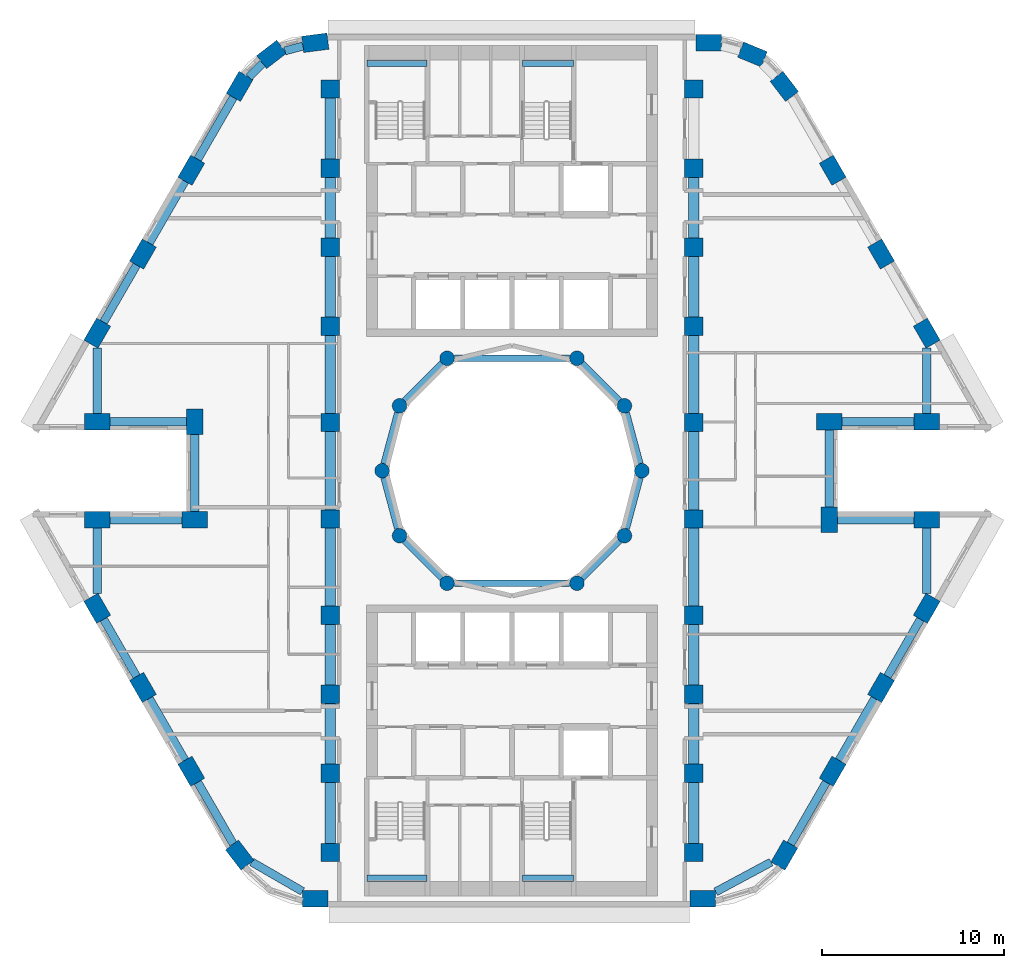
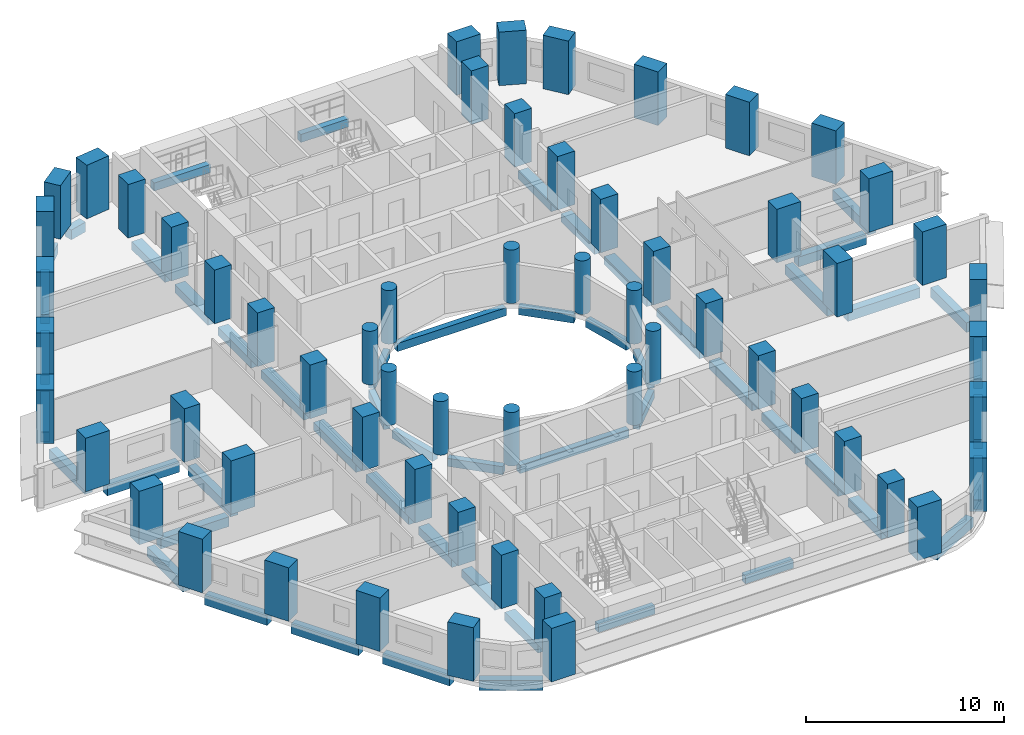
# One storey, part 1 of 12: 60 columns, 54 beams.
"""IFC4 building model written with IfcOpenShell, lengths in metres."""

from ifc_helpers import new_model, si_unit, direction, frame, origin, origin_2d, place, context, subcontext, project, spatial, rectangle, circle, extrude, material, material_profile, profile_set, type_object, element, save


model = new_model("IFC4")

# Units and contexts
model_context = context("Model", 3, precision=1e-05, world=origin(), true_north=direction((0.0, 1.0)))
body_context = subcontext(model_context, "Body", "Model", "MODEL_VIEW")
ifc_project = project(units=[si_unit("LENGTHUNIT", "METRE"), si_unit("AREAUNIT", "SQUARE_METRE"), si_unit("VOLUMEUNIT", "CUBIC_METRE"), si_unit("PLANEANGLEUNIT", "RADIAN"), si_unit("MASSUNIT", "GRAM", prefix="KILO")], contexts=[model_context])

# Site, building, storey
site_placement = place(None, origin())
site = spatial("IfcSite", under=ifc_project, at=site_placement, CompositionType="ELEMENT")
building_placement = place(site_placement, origin())
building = spatial("IfcBuilding", under=site, at=building_placement, Name="Nakaniwa Court", CompositionType="ELEMENT")
storey_placement = place(building_placement, frame((0.0, 0.0, 97.5)))
storey = spatial("IfcBuildingStorey", under=building, at=storey_placement, Name="L25", CompositionType="ELEMENT", Elevation=97.5)

# Columns
ifc_material = material(Name="Concrete C80/100", Category="concrete")
ifc_material_profile_1 = material_profile(ifc_material, rectangle(XDim=1.0, YDim=1.0, at=origin_2d()), Name="Concrete C80/100 RC 1000x1000 spine column")
ifc_profile_set_1 = profile_set([ifc_material_profile_1], Name="Concrete C80/100")
column_type_1 = type_object("IfcColumnType", Name="Concrete C80/100 RC 1000x1000 spine column", PredefinedType="COLUMN", material=ifc_profile_set_1)
for number, where, z_axis, x_axis, name in (
    (1, (90.0, 59.0, 0.0), (0.0, 0.0, 1.0), (0.0, 1.0, 0.0), "COLUMN CS-01"),
    (2, (90.0, 63.35009765625, 0.0), (0.0, 0.0, 1.0), (0.0, 1.0, 0.0), "COLUMN CS-02"),
    (3, (90.0, 67.699951171875, 0.0), (0.0, 0.0, 1.0), (0.0, 1.0, 0.0), "COLUMN CS-03"),
    (4, (90.0, 72.050048828125, 0.0), (0.0, 0.0, 1.0), (0.0, 1.0, 0.0), "COLUMN CS-04"),
    (5, (90.0, 77.35009765625, 0.0), (0.0, 0.0, 1.0), (0.0, 1.0, 0.0), "COLUMN CS-05"),
    (6, (90.0, 82.64990234375, 0.0), (0.0, 0.0, 1.0), (0.0, 1.0, 0.0), "COLUMN CS-06"),
    (7, (90.0, 87.949951171875, 0.0), (0.0, 0.0, 1.0), (0.0, 1.0, 0.0), "COLUMN CS-07"),
    (8, (90.0, 92.300048828125, 0.0), (0.0, 0.0, 1.0), (0.0, 1.0, 0.0), "COLUMN CS-08"),
    (9, (90.0, 96.64990234375, 0.0), (0.0, 0.0, 1.0), (0.0, 1.0, 0.0), "COLUMN CS-09"),
    (10, (90.0, 101.0, 0.0), (0.0, 0.0, 1.0), (0.0, 1.0, 0.0), "COLUMN CS-10"),
    (11, (70.0, 101.0, 0.0), (0.0, 0.0, 1.0), (0.0, -1.0, 0.0), "COLUMN CS-11"),
    (12, (70.0, 96.64990234375, 0.0), (0.0, 0.0, 1.0), (0.0, -1.0, 0.0), "COLUMN CS-12"),
    (13, (70.0, 92.300048828125, 0.0), (0.0, 0.0, 1.0), (0.0, -1.0, 0.0), "COLUMN CS-13"),
    (14, (70.0, 87.949951171875, 0.0), (0.0, 0.0, 1.0), (0.0, -1.0, 0.0), "COLUMN CS-14"),
    (15, (70.0, 82.64990234375, 0.0), (0.0, 0.0, 1.0), (0.0, -1.0, 0.0), "COLUMN CS-15"),
    (16, (70.0, 77.35009765625, 0.0), (0.0, 0.0, 1.0), (0.0, -1.0, 0.0), "COLUMN CS-16"),
    (17, (70.0, 72.050048828125, 0.0), (0.0, 0.0, 1.0), (0.0, -1.0, 0.0), "COLUMN CS-17"),
    (18, (70.0, 67.699951171875, 0.0), (0.0, 0.0, 1.0), (0.0, -1.0, 0.0), "COLUMN CS-18"),
    (19, (70.0, 63.35009765625, 0.0), (0.0, 0.0, 1.0), (0.0, -1.0, 0.0), "COLUMN CS-19"),
    (20, (70.0, 59.0, 0.0), (0.0, 0.0, 1.0), (0.0, -1.0, 0.0), "COLUMN CS-20"),
):
    element("IfcColumn", number, at=place(storey_placement, frame(where, z_axis=z_axis, x_axis=x_axis)), inside=storey, type_object=column_type_1, Name=name, PredefinedType="COLUMN", context=body_context, shape_type="SweptSolid", body=[
        extrude(rectangle(XDim=1.0, YDim=1.0, at=origin_2d()), origin(), (0.0, 0.0, 1.0), 3.300048828125),
    ])
ifc_material_profile_2 = material_profile(ifc_material, rectangle(XDim=1.39990234375, YDim=0.89990234375, at=origin_2d()), Name="Concrete C80/100 RC 1400x900 perimeter column")
ifc_profile_set_2 = profile_set([ifc_material_profile_2], Name="Concrete C80/100")
column_type_2 = type_object("IfcColumnType", Name="Concrete C80/100 RC 1400x900 perimeter column", PredefinedType="COLUMN", material=ifc_profile_set_2)
for number, where, z_axis, x_axis, name in (
    (21, (69.17529296875, 103.550048828125, 0.0), (0.0, 0.0, 1.0), (-0.991442583111, -0.130543496177, 0.0), "COLUMN CO-01"),
    (22, (66.772705078125, 102.91015625, 0.0), (0.0, 0.0, 1.0), (-0.793363965062, -0.608747582288, 0.0), "COLUMN CO-02"),
    (23, (65.017578125, 101.1494140625, 0.0), (0.0, 0.0, 1.0), (-0.5, -0.866025403784, 0.0), "COLUMN CO-03"),
    (24, (62.3544921875, 96.537109375, 0.0), (0.0, 0.0, 1.0), (-0.5, -0.866025403784, 0.0), "COLUMN CO-04"),
    (25, (59.691650390625, 91.9248046875, 0.0), (0.0, 0.0, 1.0), (-0.5, -0.866025403784, 0.0), "COLUMN CO-05"),
    (26, (57.177001953125, 87.569580078125, 0.0), (0.0, 0.0, 1.0), (-0.5, -0.866025403784, 0.0), "COLUMN CO-06"),
    (27, (57.177001953125, 82.699951171875, 0.0), (0.0, 0.0, 1.0), (1.0, 0.0, 0.0), "COLUMN CO-08"),
    (28, (62.54150390625, 82.699951171875, 0.0), (0.0, 0.0, 1.0), (0.0, -1.0, 0.0), "COLUMN CO-09"),
    (29, (62.54150390625, 77.300048828125, 0.0), (0.0, 0.0, 1.0), (-1.0, 0.0, 0.0), "COLUMN CO-10"),
    (30, (57.177001953125, 77.300048828125, 0.0), (0.0, 0.0, 1.0), (-1.0, 0.0, 0.0), "COLUMN CO-11"),
    (31, (57.177001953125, 72.430419921875, 0.0), (0.0, 0.0, 1.0), (0.5, -0.866025403784, 0.0), "COLUMN CO-13"),
    (32, (59.691650390625, 68.0751953125, 0.0), (0.0, 0.0, 1.0), (0.5, -0.866025403784, 0.0), "COLUMN CO-14"),
    (33, (62.3544921875, 63.462890625, 0.0), (0.0, 0.0, 1.0), (0.5, -0.866025403784, 0.0), "COLUMN CO-15"),
    (34, (65.017578125, 58.8505859375, 0.0), (0.0, 0.0, 1.0), (0.608761429009, -0.793353340291, 0.0), "COLUMN CO-16"),
    (35, (69.17529296875, 56.449951171875, 0.0), (0.0, 0.0, 1.0), (1.0, 0.0, 0.0), "COLUMN CO-17"),
    (36, (90.507080078125, 56.449951171875, 0.0), (0.0, 0.0, 1.0), (1.0, 0.0, 0.0), "COLUMN CO-21"),
    (37, (94.982421875, 58.8505859375, 0.0), (0.0, 0.0, 1.0), (0.5, 0.866025403784, 0.0), "COLUMN CO-22"),
    (38, (97.6455078125, 63.462890625, 0.0), (0.0, 0.0, 1.0), (0.5, 0.866025403784, 0.0), "COLUMN CO-23"),
    (39, (100.308349609375, 68.0751953125, 0.0), (0.0, 0.0, 1.0), (0.5, 0.866025403784, 0.0), "COLUMN CO-24"),
    (40, (102.822998046875, 72.430419921875, 0.0), (0.0, 0.0, 1.0), (0.5, 0.866025403784, 0.0), "COLUMN CO-25"),
    (41, (102.822998046875, 77.300048828125, 0.0), (0.0, 0.0, 1.0), (-1.0, 0.0, 0.0), "COLUMN CO-27"),
    (42, (97.45849609375, 77.300048828125, 0.0), (0.0, 0.0, 1.0), (0.0, 1.0, 0.0), "COLUMN CO-28"),
    (43, (97.45849609375, 82.699951171875, 0.0), (0.0, 0.0, 1.0), (1.0, 0.0, 0.0), "COLUMN CO-29"),
    (44, (102.822998046875, 82.699951171875, 0.0), (0.0, 0.0, 1.0), (1.0, 0.0, 0.0), "COLUMN CO-30"),
    (45, (102.822998046875, 87.569580078125, 0.0), (0.0, 0.0, 1.0), (-0.5, 0.866025403784, 0.0), "COLUMN CO-32"),
    (46, (100.308349609375, 91.9248046875, 0.0), (0.0, 0.0, 1.0), (-0.5, 0.866025403784, 0.0), "COLUMN CO-33"),
    (47, (97.6455078125, 96.537109375, 0.0), (0.0, 0.0, 1.0), (-0.5, 0.866025403784, 0.0), "COLUMN CO-34"),
    (48, (94.982421875, 101.1494140625, 0.0), (0.0, 0.0, 1.0), (-0.608761429009, 0.793353340291, 0.0), "COLUMN CO-35"),
    (49, (93.227294921875, 102.91015625, 0.0), (0.0, 0.0, 1.0), (-0.923879532511, 0.382683432365, 0.0), "COLUMN CO-36"),
    (50, (90.82470703125, 103.550048828125, 0.0), (0.0, 0.0, 1.0), (-1.0, 0.0, 0.0), "COLUMN CO-37"),
):
    element("IfcColumn", number, at=place(storey_placement, frame(where, z_axis=z_axis, x_axis=x_axis)), inside=storey, type_object=column_type_2, Name=name, PredefinedType="COLUMN", context=body_context, shape_type="SweptSolid", body=[
        extrude(rectangle(XDim=1.39990234375, YDim=0.89990234375, at=origin_2d()), origin(), (0.0, 0.0, 1.0), 3.300048828125),
    ])
ifc_material_profile_3 = material_profile(ifc_material, circle(Radius=0.39990234375, at=origin_2d()), Name="Concrete C80/100 RC D800 inner ring column")
ifc_profile_set_3 = profile_set([ifc_material_profile_3], Name="Concrete C80/100")
column_type_3 = type_object("IfcColumnType", Name="Concrete C80/100 RC D800 inner ring column", PredefinedType="COLUMN", material=ifc_profile_set_3)
for number, where, z_axis, x_axis, name in (
    (51, (87.14990234375, 80.0, 0.0), (0.0, 0.0, 1.0), (0.0, 1.0, 0.0), "COLUMN CI-01"),
    (52, (86.192138671875, 83.574951171875, 0.0), (0.0, 0.0, 1.0), (-0.5, 0.866025403784, 0.0), "COLUMN CI-02"),
    (53, (83.574951171875, 86.192138671875, 0.0), (0.0, 0.0, 1.0), (-0.866025403784, 0.5, 0.0), "COLUMN CI-03"),
    (54, (76.425048828125, 86.192138671875, 0.0), (0.0, 0.0, 1.0), (-0.866025403784, -0.5, 0.0), "COLUMN CI-05"),
    (55, (73.807861328125, 83.574951171875, 0.0), (0.0, 0.0, 1.0), (-0.5, -0.866025403784, 0.0), "COLUMN CI-06"),
    (56, (72.85009765625, 80.0, 0.0), (0.0, 0.0, 1.0), (0.0, -1.0, 0.0), "COLUMN CI-07"),
    (57, (73.807861328125, 76.425048828125, 0.0), (0.0, 0.0, 1.0), (0.5, -0.866025403784, 0.0), "COLUMN CI-08"),
    (58, (76.425048828125, 73.807861328125, 0.0), (0.0, 0.0, 1.0), (0.866025403784, -0.5, 0.0), "COLUMN CI-09"),
    (59, (83.574951171875, 73.807861328125, 0.0), (0.0, 0.0, 1.0), (0.866025403784, 0.5, 0.0), "COLUMN CI-11"),
    (60, (86.192138671875, 76.425048828125, 0.0), (0.0, 0.0, 1.0), (0.5, 0.866025403784, 0.0), "COLUMN CI-12"),
):
    element("IfcColumn", number, at=place(storey_placement, frame(where, z_axis=z_axis, x_axis=x_axis)), inside=storey, type_object=column_type_3, Name=name, PredefinedType="COLUMN", context=body_context, shape_type="SweptSolid", body=[
        extrude(circle(Radius=0.39990234375, at=origin_2d()), origin(), (0.0, 0.0, 1.0), 3.300048828125),
    ])

# Beams
ifc_material_profile_4 = material_profile(ifc_material, rectangle(XDim=0.35009765625, YDim=0.5, at=origin_2d()), Name="Concrete C80/100 RC 350x500 landing ledge beam")
ifc_profile_set_4 = profile_set([ifc_material_profile_4], Name="Concrete C80/100")
beam_type_1 = type_object("IfcBeamType", Name="Concrete C80/100 RC 350x500 landing ledge beam", PredefinedType="BEAM", material=ifc_profile_set_4)
beam_1_placement = place(storey_placement, frame((72.02490234375, 102.425048828125, 1.199951171875), z_axis=(1.0, 0.0, 0.0), x_axis=(0.0, 1.0, 0.0)))
element("IfcBeam", 61, at=beam_1_placement, inside=storey, type_object=beam_type_1, Name="LANDING LEDGE BEAM", PredefinedType="BEAM", context=body_context, shape_type="SweptSolid", body=[
    extrude(rectangle(XDim=0.35009765625, YDim=0.5, at=origin_2d()), origin(), (0.0, 0.0, 1.0), 3.300048828125),
])
beam_2_placement = place(storey_placement, frame((80.574951171875, 102.425048828125, 1.199951171875), z_axis=(1.0, 0.0, 0.0), x_axis=(0.0, 1.0, 0.0)))
element("IfcBeam", 62, at=beam_2_placement, inside=storey, type_object=beam_type_1, Name="LANDING LEDGE BEAM", PredefinedType="BEAM", context=body_context, shape_type="SweptSolid", body=[
    extrude(rectangle(XDim=0.35009765625, YDim=0.5, at=origin_2d()), origin(), (0.0, 0.0, 1.0), 2.800048828125),
])
beam_3_placement = place(storey_placement, frame((72.02490234375, 57.574951171875, 1.199951171875), z_axis=(1.0, 0.0, 0.0), x_axis=(0.0, 1.0, 0.0)))
element("IfcBeam", 63, at=beam_3_placement, inside=storey, type_object=beam_type_1, Name="LANDING LEDGE BEAM", PredefinedType="BEAM", context=body_context, shape_type="SweptSolid", body=[
    extrude(rectangle(XDim=0.35009765625, YDim=0.5, at=origin_2d()), origin(), (0.0, 0.0, 1.0), 3.300048828125),
])
beam_4_placement = place(storey_placement, frame((80.574951171875, 57.574951171875, 1.199951171875), z_axis=(1.0, 0.0, 0.0), x_axis=(0.0, 1.0, 0.0)))
element("IfcBeam", 64, at=beam_4_placement, inside=storey, type_object=beam_type_1, Name="LANDING LEDGE BEAM", PredefinedType="BEAM", context=body_context, shape_type="SweptSolid", body=[
    extrude(rectangle(XDim=0.35009765625, YDim=0.5, at=origin_2d()), origin(), (0.0, 0.0, 1.0), 2.800048828125),
])
ifc_material_profile_5 = material_profile(ifc_material, rectangle(XDim=0.35009765625, YDim=0.5, at=origin_2d()), Name="Concrete C80/100 RC 350x500 ring beam")
ifc_profile_set_5 = profile_set([ifc_material_profile_5], Name="Concrete C80/100")
beam_type_2 = type_object("IfcBeamType", Name="Concrete C80/100 RC 350x500 ring beam", PredefinedType="BEAM", material=ifc_profile_set_5)
beam_5_placement = place(storey_placement, frame((87.04638671875, 80.386474609375, -0.52490234375), z_axis=(-0.258778150207, 0.965936783115, 0.0), x_axis=(-0.965936783115, -0.258778150207, 0.0)))
element("IfcBeam", 65, at=beam_5_placement, inside=storey, type_object=beam_type_2, Name="RING BEAM", PredefinedType="BEAM", context=body_context, shape_type="SweptSolid", body=[
    extrude(rectangle(XDim=0.35009765625, YDim=0.5, at=origin_2d()), origin(), (0.0, 0.0, 1.0), 2.901123046875),
])
beam_6_placement = place(storey_placement, frame((85.9091796875, 83.85791015625, -0.52490234375), z_axis=(-0.707106781187, 0.707106781187, 0.0), x_axis=(-0.707106781187, -0.707106781187, 0.0)))
element("IfcBeam", 66, at=beam_6_placement, inside=storey, type_object=beam_type_2, Name="RING BEAM", PredefinedType="BEAM", context=body_context, shape_type="SweptSolid", body=[
    extrude(rectangle(XDim=0.35009765625, YDim=0.5, at=origin_2d()), origin(), (0.0, 0.0, 1.0), 2.90087890625),
])
beam_7_placement = place(storey_placement, frame((83.175048828125, 86.192138671875, -0.52490234375), z_axis=(-1.0, 0.0, 0.0), x_axis=(0.0, -1.0, 0.0)))
element("IfcBeam", 67, at=beam_7_placement, inside=storey, type_object=beam_type_2, Name="RING BEAM", PredefinedType="BEAM", context=body_context, shape_type="SweptSolid", body=[
    extrude(rectangle(XDim=0.35009765625, YDim=0.5, at=origin_2d()), origin(), (0.0, 0.0, 1.0), 6.35009765625),
])
beam_8_placement = place(storey_placement, frame((76.14208984375, 85.9091796875, -0.52490234375), z_axis=(-0.707106781187, -0.707106781187, 0.0), x_axis=(0.707106781187, -0.707106781187, 0.0)))
element("IfcBeam", 68, at=beam_8_placement, inside=storey, type_object=beam_type_2, Name="RING BEAM", PredefinedType="BEAM", context=body_context, shape_type="SweptSolid", body=[
    extrude(rectangle(XDim=0.35009765625, YDim=0.5, at=origin_2d()), origin(), (0.0, 0.0, 1.0), 2.90087890625),
])
for number, where, z_axis, x_axis, name in (
    (69, (73.704345703125, 83.188720703125, -0.52490234375), (-0.258778150207, -0.965936783115, 0.0), (0.965936783115, -0.258778150207, 0.0), "RING BEAM"),
    (70, (72.95361328125, 79.613525390625, -0.52490234375), (0.258778150207, -0.965936783115, 0.0), (0.965936783115, 0.258778150207, 0.0), "RING BEAM"),
):
    element("IfcBeam", number, at=place(storey_placement, frame(where, z_axis=z_axis, x_axis=x_axis)), inside=storey, type_object=beam_type_2, Name=name, PredefinedType="BEAM", context=body_context, shape_type="SweptSolid", body=[
        extrude(rectangle(XDim=0.35009765625, YDim=0.5, at=origin_2d()), origin(), (0.0, 0.0, 1.0), 2.901123046875),
    ])
beam_9_placement = place(storey_placement, frame((74.0908203125, 76.14208984375, -0.52490234375), z_axis=(0.707106781187, -0.707106781187, 0.0), x_axis=(0.707106781187, 0.707106781187, 0.0)))
element("IfcBeam", 71, at=beam_9_placement, inside=storey, type_object=beam_type_2, Name="RING BEAM", PredefinedType="BEAM", context=body_context, shape_type="SweptSolid", body=[
    extrude(rectangle(XDim=0.35009765625, YDim=0.5, at=origin_2d()), origin(), (0.0, 0.0, 1.0), 2.90087890625),
])
beam_10_placement = place(storey_placement, frame((76.824951171875, 73.807861328125, -0.52490234375), z_axis=(1.0, 0.0, 0.0), x_axis=(0.0, 1.0, 0.0)))
element("IfcBeam", 72, at=beam_10_placement, inside=storey, type_object=beam_type_2, Name="RING BEAM", PredefinedType="BEAM", context=body_context, shape_type="SweptSolid", body=[
    extrude(rectangle(XDim=0.35009765625, YDim=0.5, at=origin_2d()), origin(), (0.0, 0.0, 1.0), 6.35009765625),
])
beam_11_placement = place(storey_placement, frame((83.85791015625, 74.0908203125, -0.52490234375), z_axis=(0.707106781187, 0.707106781187, 0.0), x_axis=(-0.707106781187, 0.707106781187, 0.0)))
element("IfcBeam", 73, at=beam_11_placement, inside=storey, type_object=beam_type_2, Name="RING BEAM", PredefinedType="BEAM", context=body_context, shape_type="SweptSolid", body=[
    extrude(rectangle(XDim=0.35009765625, YDim=0.5, at=origin_2d()), origin(), (0.0, 0.0, 1.0), 2.90087890625),
])
beam_12_placement = place(storey_placement, frame((86.295654296875, 76.811279296875, -0.52490234375), z_axis=(0.258778150207, 0.965936783115, 0.0), x_axis=(-0.965936783115, 0.258778150207, 0.0)))
element("IfcBeam", 74, at=beam_12_placement, inside=storey, type_object=beam_type_2, Name="RING BEAM", PredefinedType="BEAM", context=body_context, shape_type="SweptSolid", body=[
    extrude(rectangle(XDim=0.35009765625, YDim=0.5, at=origin_2d()), origin(), (0.0, 0.0, 1.0), 2.901123046875),
])
ifc_material_profile_6 = material_profile(ifc_material, rectangle(XDim=0.449951171875, YDim=0.60009765625, at=origin_2d()), Name="Concrete C80/100 RC 450x600 spandrel beam")
ifc_profile_set_6 = profile_set([ifc_material_profile_6], Name="Concrete C80/100")
beam_type_3 = type_object("IfcBeamType", Name="Concrete C80/100 RC 450x600 spandrel beam", PredefinedType="BEAM", material=ifc_profile_set_6)
beam_13_placement = place(storey_placement, frame((68.4931640625, 103.368408203125, -0.574951171875), z_axis=(-0.966290412053, -0.257454538851, 0.0), x_axis=(0.257454538851, -0.966290412053, 0.0)))
element("IfcBeam", 75, at=beam_13_placement, inside=storey, type_object=beam_type_3, Name="SPANDREL BEAM", PredefinedType="BEAM", context=body_context, shape_type="SweptSolid", body=[
    extrude(rectangle(XDim=0.449951171875, YDim=0.60009765625, at=origin_2d()), origin(), (0.0, 0.0, 1.0), 1.022216796875),
])
beam_14_placement = place(storey_placement, frame((66.274169921875, 102.41015625, -0.574951171875), z_axis=(-0.70606530329, -0.708146727374, 0.0), x_axis=(0.708146727374, -0.70606530329, 0.0)))
element("IfcBeam", 76, at=beam_14_placement, inside=storey, type_object=beam_type_3, Name="SPANDREL BEAM", PredefinedType="BEAM", context=body_context, shape_type="SweptSolid", body=[
    extrude(rectangle(XDim=0.449951171875, YDim=0.60009765625, at=origin_2d()), origin(), (0.0, 0.0, 1.0), 1.0556640625),
])
for number, where, z_axis, x_axis, name in (
    (77, (64.66748046875, 100.543212890625, -0.574951171875), (-0.49999161165, -0.866030246746, 0.0), (0.866030246746, -0.49999161165, 0.0), "SPANDREL BEAM"),
    (78, (62.00439453125, 95.930908203125, -0.574951171875), (-0.49999161165, -0.866030246746, 0.0), (0.866030246746, -0.49999161165, 0.0), "SPANDREL BEAM"),
):
    element("IfcBeam", number, at=place(storey_placement, frame(where, z_axis=z_axis, x_axis=x_axis)), inside=storey, type_object=beam_type_3, Name=name, PredefinedType="BEAM", context=body_context, shape_type="SweptSolid", body=[
        extrude(rectangle(XDim=0.449951171875, YDim=0.60009765625, at=origin_2d()), origin(), (0.0, 0.0, 1.0), 3.92578125),
    ])
beam_15_placement = place(storey_placement, frame((59.341552734375, 91.318603515625, -0.574951171875), z_axis=(-0.499988394233, -0.866032104273, 0.0), x_axis=(0.866032104273, -0.499988394233, 0.0)))
element("IfcBeam", 79, at=beam_15_placement, inside=storey, type_object=beam_type_3, Name="SPANDREL BEAM", PredefinedType="BEAM", context=body_context, shape_type="SweptSolid", body=[
    extrude(rectangle(XDim=0.449951171875, YDim=0.60009765625, at=origin_2d()), origin(), (0.0, 0.0, 1.0), 3.62890625),
])
beam_16_placement = place(storey_placement, frame((57.177001953125, 86.761474609375, -0.574951171875), z_axis=(0.0, -1.0, 0.0), x_axis=(1.0, 0.0, 0.0)))
element("IfcBeam", 80, at=beam_16_placement, inside=storey, type_object=beam_type_3, Name="SPANDREL BEAM", PredefinedType="BEAM", context=body_context, shape_type="SweptSolid", body=[
    extrude(rectangle(XDim=0.449951171875, YDim=0.60009765625, at=origin_2d()), origin(), (0.0, 0.0, 1.0), 3.611572265625),
])
beam_17_placement = place(storey_placement, frame((57.877197265625, 82.699951171875, -0.574951171875), z_axis=(1.0, 0.0, 0.0), x_axis=(0.0, 1.0, 0.0)))
element("IfcBeam", 81, at=beam_17_placement, inside=storey, type_object=beam_type_3, Name="SPANDREL BEAM", PredefinedType="BEAM", context=body_context, shape_type="SweptSolid", body=[
    extrude(rectangle(XDim=0.449951171875, YDim=0.60009765625, at=origin_2d()), origin(), (0.0, 0.0, 1.0), 4.21435546875),
])
beam_18_placement = place(storey_placement, frame((62.54150390625, 82.0, -0.574951171875), z_axis=(0.0, -1.0, 0.0), x_axis=(1.0, 0.0, 0.0)))
element("IfcBeam", 82, at=beam_18_placement, inside=storey, type_object=beam_type_3, Name="SPANDREL BEAM", PredefinedType="BEAM", context=body_context, shape_type="SweptSolid", body=[
    extrude(rectangle(XDim=0.449951171875, YDim=0.60009765625, at=origin_2d()), origin(), (0.0, 0.0, 1.0), 4.25),
])
beam_19_placement = place(storey_placement, frame((61.841552734375, 77.300048828125, -0.574951171875), z_axis=(-1.0, 0.0, 0.0), x_axis=(0.0, -1.0, 0.0)))
element("IfcBeam", 83, at=beam_19_placement, inside=storey, type_object=beam_type_3, Name="SPANDREL BEAM", PredefinedType="BEAM", context=body_context, shape_type="SweptSolid", body=[
    extrude(rectangle(XDim=0.449951171875, YDim=0.60009765625, at=origin_2d()), origin(), (0.0, 0.0, 1.0), 3.96435546875),
])
beam_20_placement = place(storey_placement, frame((57.177001953125, 76.85009765625, -0.574951171875), z_axis=(0.0, -1.0, 0.0), x_axis=(1.0, 0.0, 0.0)))
element("IfcBeam", 84, at=beam_20_placement, inside=storey, type_object=beam_type_3, Name="SPANDREL BEAM", PredefinedType="BEAM", context=body_context, shape_type="SweptSolid", body=[
    extrude(rectangle(XDim=0.449951171875, YDim=0.60009765625, at=origin_2d()), origin(), (0.0, 0.0, 1.0), 3.611572265625),
])
beam_21_placement = place(storey_placement, frame((57.527099609375, 71.82421875, -0.574951171875), z_axis=(0.499988394233, -0.866032104273, 0.0), x_axis=(0.866032104273, 0.499988394233, 0.0)))
element("IfcBeam", 85, at=beam_21_placement, inside=storey, type_object=beam_type_3, Name="SPANDREL BEAM", PredefinedType="BEAM", context=body_context, shape_type="SweptSolid", body=[
    extrude(rectangle(XDim=0.449951171875, YDim=0.60009765625, at=origin_2d()), origin(), (0.0, 0.0, 1.0), 3.62890625),
])
beam_22_placement = place(storey_placement, frame((60.04150390625, 67.468994140625, -0.574951171875), z_axis=(0.49999161165, -0.866030246746, 0.0), x_axis=(0.866030246746, 0.49999161165, 0.0)))
element("IfcBeam", 86, at=beam_22_placement, inside=storey, type_object=beam_type_3, Name="SPANDREL BEAM", PredefinedType="BEAM", context=body_context, shape_type="SweptSolid", body=[
    extrude(rectangle(XDim=0.449951171875, YDim=0.60009765625, at=origin_2d()), origin(), (0.0, 0.0, 1.0), 3.92578125),
])
beam_23_placement = place(storey_placement, frame((62.70458984375, 62.856689453125, -0.574951171875), z_axis=(0.499997407846, -0.86602690036, 0.0), x_axis=(0.86602690036, 0.499997407846, 0.0)))
element("IfcBeam", 87, at=beam_23_placement, inside=storey, type_object=beam_type_3, Name="SPANDREL BEAM", PredefinedType="BEAM", context=body_context, shape_type="SweptSolid", body=[
    extrude(rectangle(XDim=0.449951171875, YDim=0.60009765625, at=origin_2d()), origin(), (0.0, 0.0, 1.0), 3.919921875),
])
beam_24_placement = place(storey_placement, frame((65.673583984375, 58.4716796875, -0.574951171875), z_axis=(0.866014675542, -0.5000185814, 0.0), x_axis=(0.5000185814, 0.866014675542, 0.0)))
element("IfcBeam", 88, at=beam_24_placement, inside=storey, type_object=beam_type_3, Name="SPANDREL BEAM", PredefinedType="BEAM", context=body_context, shape_type="SweptSolid", body=[
    extrude(rectangle(XDim=0.449951171875, YDim=0.60009765625, at=origin_2d()), origin(), (0.0, 0.0, 1.0), 3.2353515625),
])
beam_25_placement = place(storey_placement, frame((91.20703125, 56.825439453125, -0.574951171875), z_axis=(0.881233381314, 0.472681423009, 0.0), x_axis=(-0.472681423009, 0.881233381314, 0.0)))
element("IfcBeam", 89, at=beam_25_placement, inside=storey, type_object=beam_type_3, Name="SPANDREL BEAM", PredefinedType="BEAM", context=body_context, shape_type="SweptSolid", body=[
    extrude(rectangle(XDim=0.449951171875, YDim=0.60009765625, at=origin_2d()), origin(), (0.0, 0.0, 1.0), 3.46044921875),
])
for number, where, z_axis, x_axis, name in (
    (90, (95.33251953125, 59.456787109375, -0.574951171875), (0.49999161165, 0.866030246746, 0.0), (-0.866030246746, 0.49999161165, 0.0), "SPANDREL BEAM"),
    (91, (97.99560546875, 64.069091796875, -0.574951171875), (0.49999161165, 0.866030246746, 0.0), (-0.866030246746, 0.49999161165, 0.0), "SPANDREL BEAM"),
):
    element("IfcBeam", number, at=place(storey_placement, frame(where, z_axis=z_axis, x_axis=x_axis)), inside=storey, type_object=beam_type_3, Name=name, PredefinedType="BEAM", context=body_context, shape_type="SweptSolid", body=[
        extrude(rectangle(XDim=0.449951171875, YDim=0.60009765625, at=origin_2d()), origin(), (0.0, 0.0, 1.0), 3.92578125),
    ])
beam_26_placement = place(storey_placement, frame((100.658447265625, 68.681396484375, -0.574951171875), z_axis=(0.499988394233, 0.866032104273, 0.0), x_axis=(-0.866032104273, 0.499988394233, 0.0)))
element("IfcBeam", 92, at=beam_26_placement, inside=storey, type_object=beam_type_3, Name="SPANDREL BEAM", PredefinedType="BEAM", context=body_context, shape_type="SweptSolid", body=[
    extrude(rectangle(XDim=0.449951171875, YDim=0.60009765625, at=origin_2d()), origin(), (0.0, 0.0, 1.0), 3.62890625),
])
beam_27_placement = place(storey_placement, frame((102.822998046875, 73.238525390625, -0.574951171875), z_axis=(0.0, 1.0, 0.0), x_axis=(-1.0, 0.0, 0.0)))
element("IfcBeam", 93, at=beam_27_placement, inside=storey, type_object=beam_type_3, Name="SPANDREL BEAM", PredefinedType="BEAM", context=body_context, shape_type="SweptSolid", body=[
    extrude(rectangle(XDim=0.449951171875, YDim=0.60009765625, at=origin_2d()), origin(), (0.0, 0.0, 1.0), 3.611572265625),
])
beam_28_placement = place(storey_placement, frame((102.122802734375, 77.300048828125, -0.574951171875), z_axis=(-1.0, 0.0, 0.0), x_axis=(0.0, -1.0, 0.0)))
element("IfcBeam", 94, at=beam_28_placement, inside=storey, type_object=beam_type_3, Name="SPANDREL BEAM", PredefinedType="BEAM", context=body_context, shape_type="SweptSolid", body=[
    extrude(rectangle(XDim=0.449951171875, YDim=0.60009765625, at=origin_2d()), origin(), (0.0, 0.0, 1.0), 4.21435546875),
])
beam_29_placement = place(storey_placement, frame((97.45849609375, 78.0, -0.574951171875), z_axis=(0.0, 1.0, 0.0), x_axis=(-1.0, 0.0, 0.0)))
element("IfcBeam", 95, at=beam_29_placement, inside=storey, type_object=beam_type_3, Name="SPANDREL BEAM", PredefinedType="BEAM", context=body_context, shape_type="SweptSolid", body=[
    extrude(rectangle(XDim=0.449951171875, YDim=0.60009765625, at=origin_2d()), origin(), (0.0, 0.0, 1.0), 4.25),
])
beam_30_placement = place(storey_placement, frame((98.158447265625, 82.699951171875, -0.574951171875), z_axis=(1.0, 0.0, 0.0), x_axis=(0.0, 1.0, 0.0)))
element("IfcBeam", 96, at=beam_30_placement, inside=storey, type_object=beam_type_3, Name="SPANDREL BEAM", PredefinedType="BEAM", context=body_context, shape_type="SweptSolid", body=[
    extrude(rectangle(XDim=0.449951171875, YDim=0.60009765625, at=origin_2d()), origin(), (0.0, 0.0, 1.0), 3.96435546875),
])
beam_31_placement = place(storey_placement, frame((102.822998046875, 83.14990234375, -0.574951171875), z_axis=(0.0, 1.0, 0.0), x_axis=(-1.0, 0.0, 0.0)))
element("IfcBeam", 97, at=beam_31_placement, inside=storey, type_object=beam_type_3, Name="SPANDREL BEAM", PredefinedType="BEAM", context=body_context, shape_type="SweptSolid", body=[
    extrude(rectangle(XDim=0.449951171875, YDim=0.60009765625, at=origin_2d()), origin(), (0.0, 0.0, 1.0), 3.611572265625),
])
ifc_material_profile_7 = material_profile(ifc_material, rectangle(XDim=0.60009765625, YDim=0.5, at=origin_2d()), Name="Concrete C80/100 RC 600x500 ring beam")
ifc_profile_set_7 = profile_set([ifc_material_profile_7], Name="Concrete C80/100")
beam_type_4 = type_object("IfcBeamType", Name="Concrete C80/100 RC 600x500 ring beam", PredefinedType="BEAM", material=ifc_profile_set_7)
beam_32_placement = place(storey_placement, frame((90.0, 59.5, -0.52490234375), z_axis=(0.0, 1.0, 0.0), x_axis=(-1.0, 0.0, 0.0)))
element("IfcBeam", 98, at=beam_32_placement, inside=storey, type_object=beam_type_4, Name="RING BEAM", PredefinedType="BEAM", context=body_context, shape_type="SweptSolid", body=[
    extrude(rectangle(XDim=0.60009765625, YDim=0.5, at=origin_2d()), origin(), (0.0, 0.0, 1.0), 3.35009765625),
])
beam_33_placement = place(storey_placement, frame((90.0, 63.85009765625, -0.52490234375), z_axis=(0.0, 1.0, 0.0), x_axis=(-1.0, 0.0, 0.0)))
element("IfcBeam", 99, at=beam_33_placement, inside=storey, type_object=beam_type_4, Name="RING BEAM", PredefinedType="BEAM", context=body_context, shape_type="SweptSolid", body=[
    extrude(rectangle(XDim=0.60009765625, YDim=0.5, at=origin_2d()), origin(), (0.0, 0.0, 1.0), 3.349853515625),
])
beam_34_placement = place(storey_placement, frame((90.0, 68.199951171875, -0.52490234375), z_axis=(0.0, 1.0, 0.0), x_axis=(-1.0, 0.0, 0.0)))
element("IfcBeam", 100, at=beam_34_placement, inside=storey, type_object=beam_type_4, Name="RING BEAM", PredefinedType="BEAM", context=body_context, shape_type="SweptSolid", body=[
    extrude(rectangle(XDim=0.60009765625, YDim=0.5, at=origin_2d()), origin(), (0.0, 0.0, 1.0), 3.35009765625),
])
beam_35_placement = place(storey_placement, frame((90.0, 72.550048828125, -0.52490234375), z_axis=(0.0, 1.0, 0.0), x_axis=(-1.0, 0.0, 0.0)))
element("IfcBeam", 101, at=beam_35_placement, inside=storey, type_object=beam_type_4, Name="RING BEAM", PredefinedType="BEAM", context=body_context, shape_type="SweptSolid", body=[
    extrude(rectangle(XDim=0.60009765625, YDim=0.5, at=origin_2d()), origin(), (0.0, 0.0, 1.0), 4.300048828125),
])
beam_36_placement = place(storey_placement, frame((90.0, 77.85009765625, -0.52490234375), z_axis=(0.0, 1.0, 0.0), x_axis=(-1.0, 0.0, 0.0)))
element("IfcBeam", 102, at=beam_36_placement, inside=storey, type_object=beam_type_4, Name="RING BEAM", PredefinedType="BEAM", context=body_context, shape_type="SweptSolid", body=[
    extrude(rectangle(XDim=0.60009765625, YDim=0.5, at=origin_2d()), origin(), (0.0, 0.0, 1.0), 4.2998046875),
])
beam_37_placement = place(storey_placement, frame((90.0, 83.14990234375, -0.52490234375), z_axis=(0.0, 1.0, 0.0), x_axis=(-1.0, 0.0, 0.0)))
element("IfcBeam", 103, at=beam_37_placement, inside=storey, type_object=beam_type_4, Name="RING BEAM", PredefinedType="BEAM", context=body_context, shape_type="SweptSolid", body=[
    extrude(rectangle(XDim=0.60009765625, YDim=0.5, at=origin_2d()), origin(), (0.0, 0.0, 1.0), 4.300048828125),
])
beam_38_placement = place(storey_placement, frame((90.0, 88.449951171875, -0.52490234375), z_axis=(0.0, 1.0, 0.0), x_axis=(-1.0, 0.0, 0.0)))
element("IfcBeam", 104, at=beam_38_placement, inside=storey, type_object=beam_type_4, Name="RING BEAM", PredefinedType="BEAM", context=body_context, shape_type="SweptSolid", body=[
    extrude(rectangle(XDim=0.60009765625, YDim=0.5, at=origin_2d()), origin(), (0.0, 0.0, 1.0), 3.35009765625),
])
beam_39_placement = place(storey_placement, frame((90.0, 92.800048828125, -0.52490234375), z_axis=(0.0, 1.0, 0.0), x_axis=(-1.0, 0.0, 0.0)))
element("IfcBeam", 105, at=beam_39_placement, inside=storey, type_object=beam_type_4, Name="RING BEAM", PredefinedType="BEAM", context=body_context, shape_type="SweptSolid", body=[
    extrude(rectangle(XDim=0.60009765625, YDim=0.5, at=origin_2d()), origin(), (0.0, 0.0, 1.0), 3.349853515625),
])
beam_40_placement = place(storey_placement, frame((70.0, 100.5, -0.52490234375), z_axis=(0.0, -1.0, 0.0), x_axis=(1.0, 0.0, 0.0)))
element("IfcBeam", 106, at=beam_40_placement, inside=storey, type_object=beam_type_4, Name="RING BEAM", PredefinedType="BEAM", context=body_context, shape_type="SweptSolid", body=[
    extrude(rectangle(XDim=0.60009765625, YDim=0.5, at=origin_2d()), origin(), (0.0, 0.0, 1.0), 3.35009765625),
])
beam_41_placement = place(storey_placement, frame((70.0, 96.14990234375, -0.52490234375), z_axis=(0.0, -1.0, 0.0), x_axis=(1.0, 0.0, 0.0)))
element("IfcBeam", 107, at=beam_41_placement, inside=storey, type_object=beam_type_4, Name="RING BEAM", PredefinedType="BEAM", context=body_context, shape_type="SweptSolid", body=[
    extrude(rectangle(XDim=0.60009765625, YDim=0.5, at=origin_2d()), origin(), (0.0, 0.0, 1.0), 3.349853515625),
])
beam_42_placement = place(storey_placement, frame((70.0, 91.800048828125, -0.52490234375), z_axis=(0.0, -1.0, 0.0), x_axis=(1.0, 0.0, 0.0)))
element("IfcBeam", 108, at=beam_42_placement, inside=storey, type_object=beam_type_4, Name="RING BEAM", PredefinedType="BEAM", context=body_context, shape_type="SweptSolid", body=[
    extrude(rectangle(XDim=0.60009765625, YDim=0.5, at=origin_2d()), origin(), (0.0, 0.0, 1.0), 3.35009765625),
])
beam_43_placement = place(storey_placement, frame((70.0, 87.449951171875, -0.52490234375), z_axis=(0.0, -1.0, 0.0), x_axis=(1.0, 0.0, 0.0)))
element("IfcBeam", 109, at=beam_43_placement, inside=storey, type_object=beam_type_4, Name="RING BEAM", PredefinedType="BEAM", context=body_context, shape_type="SweptSolid", body=[
    extrude(rectangle(XDim=0.60009765625, YDim=0.5, at=origin_2d()), origin(), (0.0, 0.0, 1.0), 4.300048828125),
])
beam_44_placement = place(storey_placement, frame((70.0, 82.14990234375, -0.52490234375), z_axis=(0.0, -1.0, 0.0), x_axis=(1.0, 0.0, 0.0)))
element("IfcBeam", 110, at=beam_44_placement, inside=storey, type_object=beam_type_4, Name="RING BEAM", PredefinedType="BEAM", context=body_context, shape_type="SweptSolid", body=[
    extrude(rectangle(XDim=0.60009765625, YDim=0.5, at=origin_2d()), origin(), (0.0, 0.0, 1.0), 4.2998046875),
])
beam_45_placement = place(storey_placement, frame((70.0, 76.85009765625, -0.52490234375), z_axis=(0.0, -1.0, 0.0), x_axis=(1.0, 0.0, 0.0)))
element("IfcBeam", 111, at=beam_45_placement, inside=storey, type_object=beam_type_4, Name="RING BEAM", PredefinedType="BEAM", context=body_context, shape_type="SweptSolid", body=[
    extrude(rectangle(XDim=0.60009765625, YDim=0.5, at=origin_2d()), origin(), (0.0, 0.0, 1.0), 4.300048828125),
])
beam_46_placement = place(storey_placement, frame((70.0, 71.550048828125, -0.52490234375), z_axis=(0.0, -1.0, 0.0), x_axis=(1.0, 0.0, 0.0)))
element("IfcBeam", 112, at=beam_46_placement, inside=storey, type_object=beam_type_4, Name="RING BEAM", PredefinedType="BEAM", context=body_context, shape_type="SweptSolid", body=[
    extrude(rectangle(XDim=0.60009765625, YDim=0.5, at=origin_2d()), origin(), (0.0, 0.0, 1.0), 3.35009765625),
])
beam_47_placement = place(storey_placement, frame((70.0, 67.199951171875, -0.52490234375), z_axis=(0.0, -1.0, 0.0), x_axis=(1.0, 0.0, 0.0)))
element("IfcBeam", 113, at=beam_47_placement, inside=storey, type_object=beam_type_4, Name="RING BEAM", PredefinedType="BEAM", context=body_context, shape_type="SweptSolid", body=[
    extrude(rectangle(XDim=0.60009765625, YDim=0.5, at=origin_2d()), origin(), (0.0, 0.0, 1.0), 3.349853515625),
])
beam_48_placement = place(storey_placement, frame((70.0, 62.85009765625, -0.52490234375), z_axis=(0.0, -1.0, 0.0), x_axis=(1.0, 0.0, 0.0)))
element("IfcBeam", 114, at=beam_48_placement, inside=storey, type_object=beam_type_4, Name="RING BEAM", PredefinedType="BEAM", context=body_context, shape_type="SweptSolid", body=[
    extrude(rectangle(XDim=0.60009765625, YDim=0.5, at=origin_2d()), origin(), (0.0, 0.0, 1.0), 3.35009765625),
])

save(model, "model.ifc")
